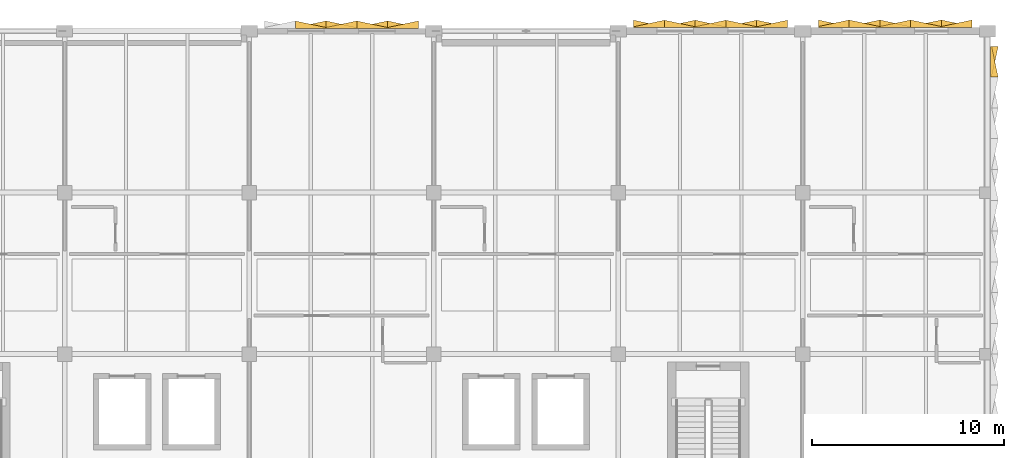
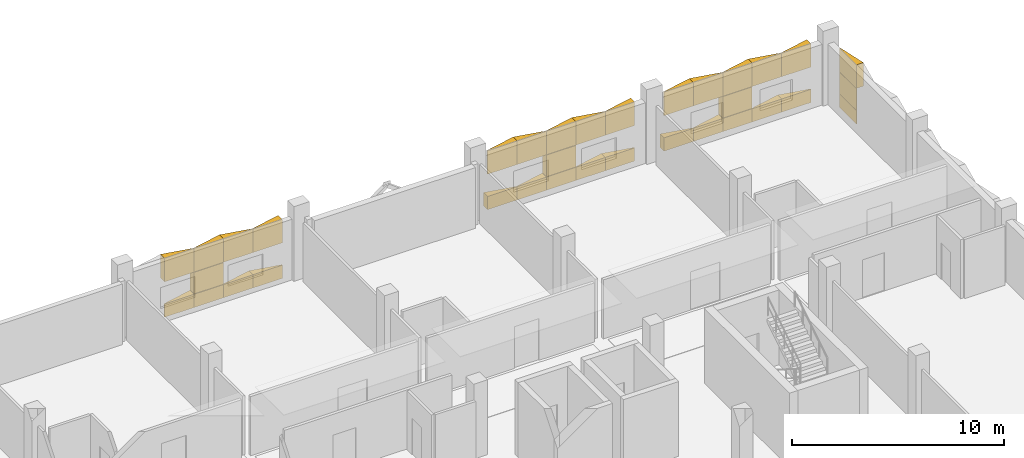
# One storey, part 86 of 86: 34 coverings.
"""IFC4 building model written with IfcOpenShell, lengths in metres."""

from ifc_helpers import new_model, si_unit, direction, frame, origin, place, context, subcontext, project, spatial, polyline, outline, extrude, material, type_object, element, save


model = new_model("IFC4")

# Units and contexts
model_context = context("Model", 3, precision=1e-05, world=origin(), true_north=direction((0.0, 1.0)))
body_context = subcontext(model_context, "Body", "Model", "MODEL_VIEW")
ifc_project = project(units=[si_unit("LENGTHUNIT", "METRE"), si_unit("AREAUNIT", "SQUARE_METRE"), si_unit("VOLUMEUNIT", "CUBIC_METRE"), si_unit("PLANEANGLEUNIT", "RADIAN"), si_unit("MASSUNIT", "GRAM", prefix="KILO")], contexts=[model_context])

# Site, building, storey
site_placement = place(None, origin())
site = spatial("IfcSite", under=ifc_project, at=site_placement, CompositionType="ELEMENT")
building_placement = place(site_placement, origin())
building = spatial("IfcBuilding", under=site, at=building_placement, Name="Oolite Switchyard Hospital", CompositionType="ELEMENT")
storey_placement = place(building_placement, frame((0.0, 0.0, 13.5)))
storey = spatial("IfcBuildingStorey", under=building, at=storey_placement, Name="L03", CompositionType="ELEMENT", Elevation=13.5)

# Coverings
ifc_material = material(Name="Precast oolitic limestone architectural concrete C40/50", Category="masonry")
covering_type = type_object("IfcCoveringType", Name="COV-CHEV-COOL", PredefinedType="CLADDING", material=ifc_material)
covering_1_placement = place(storey_placement, frame((175.199951171875, 134.5400390625, 0.050048828125), z_axis=(0.0, 0.0, 1.0), x_axis=(1.0, 0.0, 0.0)))
element("IfcCovering", 1, at=covering_1_placement, inside=storey, type_object=covering_type, Name="L03 Chevron Precast Oolite Panel 311", PredefinedType="CLADDING", context=body_context, shape_type="SweptSolid", body=[
    extrude(outline(polyline([(0.0, 0.0), (1.60009765625, 0.0), (1.60009765625, 0.385009765625), (0.0, 0.044921875), (0.0, 0.0)])), origin(), (0.0, 0.0, 1.0), 0.760009765625),
])
covering_2_placement = place(storey_placement, frame((175.199951171875, 134.5400390625, 2.090087890625), z_axis=(0.0, 0.0, 1.0), x_axis=(1.0, 0.0, 0.0)))
element("IfcCovering", 2, at=covering_2_placement, inside=storey, type_object=covering_type, Name="L03 Chevron Precast Oolite Panel 312", PredefinedType="CLADDING", context=body_context, shape_type="SweptSolid", body=[
    extrude(outline(polyline([(0.0, 0.0), (1.60009765625, 0.0), (1.60009765625, 0.044921875), (0.0, 0.385009765625), (0.0, 0.0)])), origin(), (0.0, 0.0, 1.0), 1.349853515625),
])
covering_3_placement = place(storey_placement, frame((176.800048828125, 134.5400390625, 0.050048828125), z_axis=(0.0, 0.0, 1.0), x_axis=(1.0, 0.0, 0.0)))
element("IfcCovering", 3, at=covering_3_placement, inside=storey, type_object=covering_type, Name="L03 Chevron Precast Oolite Panel 313", PredefinedType="CLADDING", context=body_context, shape_type="SweptSolid", body=[
    extrude(outline(polyline([(0.0, 0.0), (1.599853515625, 0.0), (1.599853515625, 0.044921875), (0.0, 0.385009765625), (0.0, 0.0)])), origin(), (0.0, 0.0, 1.0), 0.760009765625),
])
covering_4_placement = place(storey_placement, frame((176.800048828125, 134.5400390625, 2.090087890625), z_axis=(0.0, 0.0, 1.0), x_axis=(1.0, 0.0, 0.0)))
element("IfcCovering", 4, at=covering_4_placement, inside=storey, type_object=covering_type, Name="L03 Chevron Precast Oolite Panel 314", PredefinedType="CLADDING", context=body_context, shape_type="SweptSolid", body=[
    extrude(outline(polyline([(0.0, 0.0), (1.599853515625, 0.0), (1.599853515625, 0.385009765625), (0.0, 0.044921875), (0.0, 0.0)])), origin(), (0.0, 0.0, 1.0), 1.349853515625),
])
covering_5_placement = place(storey_placement, frame((176.800048828125, 134.5400390625, 0.830078125), z_axis=(0.0, 0.0, 1.0), x_axis=(1.0, 0.0, 0.0)))
element("IfcCovering", 5, at=covering_5_placement, inside=storey, type_object=covering_type, Name="L03 Chevron Precast Oolite Panel 315", PredefinedType="CLADDING", context=body_context, shape_type="SweptSolid", body=[
    extrude(outline(polyline([(0.0, 0.0), (1.599853515625, 0.0), (1.599853515625, 0.044921875), (0.0, 0.385009765625), (0.0, 0.0)])), origin(), (0.0, 0.0, 1.0), 1.239990234375),
])
covering_6_placement = place(storey_placement, frame((178.39990234375, 134.5400390625, 0.050048828125), z_axis=(0.0, 0.0, 1.0), x_axis=(1.0, 0.0, 0.0)))
element("IfcCovering", 6, at=covering_6_placement, inside=storey, type_object=covering_type, Name="L03 Chevron Precast Oolite Panel 316", PredefinedType="CLADDING", context=body_context, shape_type="SweptSolid", body=[
    extrude(outline(polyline([(0.0, 0.0), (1.60009765625, 0.0), (1.60009765625, 0.385009765625), (0.0, 0.044921875), (0.0, 0.0)])), origin(), (0.0, 0.0, 1.0), 0.760009765625),
])
covering_7_placement = place(storey_placement, frame((178.39990234375, 134.5400390625, 2.090087890625), z_axis=(0.0, 0.0, 1.0), x_axis=(1.0, 0.0, 0.0)))
element("IfcCovering", 7, at=covering_7_placement, inside=storey, type_object=covering_type, Name="L03 Chevron Precast Oolite Panel 317", PredefinedType="CLADDING", context=body_context, shape_type="SweptSolid", body=[
    extrude(outline(polyline([(0.0, 0.0), (1.60009765625, 0.0), (1.60009765625, 0.044921875), (0.0, 0.385009765625), (0.0, 0.0)])), origin(), (0.0, 0.0, 1.0), 1.349853515625),
])
covering_8_placement = place(storey_placement, frame((180.0, 134.5400390625, 0.050048828125), z_axis=(0.0, 0.0, 1.0), x_axis=(1.0, 0.0, 0.0)))
element("IfcCovering", 8, at=covering_8_placement, inside=storey, type_object=covering_type, Name="L03 Chevron Precast Oolite Panel 318", PredefinedType="CLADDING", context=body_context, shape_type="SweptSolid", body=[
    extrude(outline(polyline([(0.0, 0.0), (1.60009765625, 0.0), (1.60009765625, 0.044921875), (0.0, 0.385009765625), (0.0, 0.0)])), origin(), (0.0, 0.0, 1.0), 0.760009765625),
])
covering_9_placement = place(storey_placement, frame((180.0, 134.5400390625, 2.090087890625), z_axis=(0.0, 0.0, 1.0), x_axis=(1.0, 0.0, 0.0)))
element("IfcCovering", 9, at=covering_9_placement, inside=storey, type_object=covering_type, Name="L03 Chevron Precast Oolite Panel 319", PredefinedType="CLADDING", context=body_context, shape_type="SweptSolid", body=[
    extrude(outline(polyline([(0.0, 0.0), (1.60009765625, 0.0), (1.60009765625, 0.385009765625), (0.0, 0.044921875), (0.0, 0.0)])), origin(), (0.0, 0.0, 1.0), 1.349853515625),
])
covering_10_placement = place(storey_placement, frame((192.800048828125, 134.580078125, 0.050048828125), z_axis=(0.0, 0.0, 1.0), x_axis=(1.0, 0.0, 0.0)))
element("IfcCovering", 10, at=covering_10_placement, inside=storey, type_object=covering_type, Name="L03 Chevron Precast Oolite Panel 320", PredefinedType="CLADDING", context=body_context, shape_type="SweptSolid", body=[
    extrude(outline(polyline([(0.0, 0.0), (1.599853515625, 0.0), (1.599853515625, 0.044921875), (0.0, 0.385009765625), (0.0, 0.0)])), origin(), (0.0, 0.0, 1.0), 0.760009765625),
])
covering_11_placement = place(storey_placement, frame((192.800048828125, 134.580078125, 2.090087890625), z_axis=(0.0, 0.0, 1.0), x_axis=(1.0, 0.0, 0.0)))
element("IfcCovering", 11, at=covering_11_placement, inside=storey, type_object=covering_type, Name="L03 Chevron Precast Oolite Panel 321", PredefinedType="CLADDING", context=body_context, shape_type="SweptSolid", body=[
    extrude(outline(polyline([(0.0, 0.0), (1.599853515625, 0.0), (1.599853515625, 0.385009765625), (0.0, 0.044921875), (0.0, 0.0)])), origin(), (0.0, 0.0, 1.0), 1.349853515625),
])
covering_12_placement = place(storey_placement, frame((194.39990234375, 134.580078125, 0.050048828125), z_axis=(0.0, 0.0, 1.0), x_axis=(1.0, 0.0, 0.0)))
element("IfcCovering", 12, at=covering_12_placement, inside=storey, type_object=covering_type, Name="L03 Chevron Precast Oolite Panel 322", PredefinedType="CLADDING", context=body_context, shape_type="SweptSolid", body=[
    extrude(outline(polyline([(0.0, 0.0), (1.60009765625, 0.0), (1.60009765625, 0.385009765625), (0.0, 0.044921875), (0.0, 0.0)])), origin(), (0.0, 0.0, 1.0), 0.760009765625),
])
covering_13_placement = place(storey_placement, frame((194.39990234375, 134.580078125, 2.090087890625), z_axis=(0.0, 0.0, 1.0), x_axis=(1.0, 0.0, 0.0)))
element("IfcCovering", 13, at=covering_13_placement, inside=storey, type_object=covering_type, Name="L03 Chevron Precast Oolite Panel 323", PredefinedType="CLADDING", context=body_context, shape_type="SweptSolid", body=[
    extrude(outline(polyline([(0.0, 0.0), (1.60009765625, 0.0), (1.60009765625, 0.044921875), (0.0, 0.385009765625), (0.0, 0.0)])), origin(), (0.0, 0.0, 1.0), 1.349853515625),
])
covering_14_placement = place(storey_placement, frame((196.0, 134.580078125, 0.050048828125), z_axis=(0.0, 0.0, 1.0), x_axis=(1.0, 0.0, 0.0)))
element("IfcCovering", 14, at=covering_14_placement, inside=storey, type_object=covering_type, Name="L03 Chevron Precast Oolite Panel 324", PredefinedType="CLADDING", context=body_context, shape_type="SweptSolid", body=[
    extrude(outline(polyline([(0.0, 0.0), (1.60009765625, 0.0), (1.60009765625, 0.044921875), (0.0, 0.385009765625), (0.0, 0.0)])), origin(), (0.0, 0.0, 1.0), 0.760009765625),
])
covering_15_placement = place(storey_placement, frame((196.0, 134.580078125, 2.090087890625), z_axis=(0.0, 0.0, 1.0), x_axis=(1.0, 0.0, 0.0)))
element("IfcCovering", 15, at=covering_15_placement, inside=storey, type_object=covering_type, Name="L03 Chevron Precast Oolite Panel 325", PredefinedType="CLADDING", context=body_context, shape_type="SweptSolid", body=[
    extrude(outline(polyline([(0.0, 0.0), (1.60009765625, 0.0), (1.60009765625, 0.385009765625), (0.0, 0.044921875), (0.0, 0.0)])), origin(), (0.0, 0.0, 1.0), 1.349853515625),
])
covering_16_placement = place(storey_placement, frame((196.0, 134.580078125, 0.830078125), z_axis=(0.0, 0.0, 1.0), x_axis=(1.0, 0.0, 0.0)))
element("IfcCovering", 16, at=covering_16_placement, inside=storey, type_object=covering_type, Name="L03 Chevron Precast Oolite Panel 326", PredefinedType="CLADDING", context=body_context, shape_type="SweptSolid", body=[
    extrude(outline(polyline([(0.0, 0.0), (1.60009765625, 0.0), (1.60009765625, 0.044921875), (0.0, 0.385009765625), (0.0, 0.0)])), origin(), (0.0, 0.0, 1.0), 1.239990234375),
])
covering_17_placement = place(storey_placement, frame((197.60009765625, 134.580078125, 0.050048828125), z_axis=(0.0, 0.0, 1.0), x_axis=(1.0, 0.0, 0.0)))
element("IfcCovering", 17, at=covering_17_placement, inside=storey, type_object=covering_type, Name="L03 Chevron Precast Oolite Panel 327", PredefinedType="CLADDING", context=body_context, shape_type="SweptSolid", body=[
    extrude(outline(polyline([(0.0, 0.0), (1.599853515625, 0.0), (1.599853515625, 0.385009765625), (0.0, 0.044921875), (0.0, 0.0)])), origin(), (0.0, 0.0, 1.0), 0.760009765625),
])
covering_18_placement = place(storey_placement, frame((197.60009765625, 134.580078125, 2.090087890625), z_axis=(0.0, 0.0, 1.0), x_axis=(1.0, 0.0, 0.0)))
element("IfcCovering", 18, at=covering_18_placement, inside=storey, type_object=covering_type, Name="L03 Chevron Precast Oolite Panel 328", PredefinedType="CLADDING", context=body_context, shape_type="SweptSolid", body=[
    extrude(outline(polyline([(0.0, 0.0), (1.599853515625, 0.0), (1.599853515625, 0.044921875), (0.0, 0.385009765625), (0.0, 0.0)])), origin(), (0.0, 0.0, 1.0), 1.349853515625),
])
covering_19_placement = place(storey_placement, frame((199.199951171875, 134.580078125, 0.050048828125), z_axis=(0.0, 0.0, 1.0), x_axis=(1.0, 0.0, 0.0)))
element("IfcCovering", 19, at=covering_19_placement, inside=storey, type_object=covering_type, Name="L03 Chevron Precast Oolite Panel 329", PredefinedType="CLADDING", context=body_context, shape_type="SweptSolid", body=[
    extrude(outline(polyline([(0.0, 0.0), (1.60009765625, 0.0), (1.60009765625, 0.044921875), (0.0, 0.385009765625), (0.0, 0.0)])), origin(), (0.0, 0.0, 1.0), 0.760009765625),
])
covering_20_placement = place(storey_placement, frame((199.199951171875, 134.580078125, 2.090087890625), z_axis=(0.0, 0.0, 1.0), x_axis=(1.0, 0.0, 0.0)))
element("IfcCovering", 20, at=covering_20_placement, inside=storey, type_object=covering_type, Name="L03 Chevron Precast Oolite Panel 330", PredefinedType="CLADDING", context=body_context, shape_type="SweptSolid", body=[
    extrude(outline(polyline([(0.0, 0.0), (1.60009765625, 0.0), (1.60009765625, 0.385009765625), (0.0, 0.044921875), (0.0, 0.0)])), origin(), (0.0, 0.0, 1.0), 1.349853515625),
])
covering_21_placement = place(storey_placement, frame((202.39990234375, 134.590087890625, 0.050048828125), z_axis=(0.0, 0.0, 1.0), x_axis=(1.0, 0.0, 0.0)))
element("IfcCovering", 21, at=covering_21_placement, inside=storey, type_object=covering_type, Name="L03 Chevron Precast Oolite Panel 331", PredefinedType="CLADDING", context=body_context, shape_type="SweptSolid", body=[
    extrude(outline(polyline([(0.0, 0.0), (1.60009765625, 0.0), (1.60009765625, 0.044921875), (0.0, 0.385009765625), (0.0, 0.0)])), origin(), (0.0, 0.0, 1.0), 0.760009765625),
])
covering_22_placement = place(storey_placement, frame((202.39990234375, 134.590087890625, 2.090087890625), z_axis=(0.0, 0.0, 1.0), x_axis=(1.0, 0.0, 0.0)))
element("IfcCovering", 22, at=covering_22_placement, inside=storey, type_object=covering_type, Name="L03 Chevron Precast Oolite Panel 332", PredefinedType="CLADDING", context=body_context, shape_type="SweptSolid", body=[
    extrude(outline(polyline([(0.0, 0.0), (1.60009765625, 0.0), (1.60009765625, 0.385009765625), (0.0, 0.044921875), (0.0, 0.0)])), origin(), (0.0, 0.0, 1.0), 1.349853515625),
])
covering_23_placement = place(storey_placement, frame((204.0, 134.590087890625, 0.050048828125), z_axis=(0.0, 0.0, 1.0), x_axis=(1.0, 0.0, 0.0)))
element("IfcCovering", 23, at=covering_23_placement, inside=storey, type_object=covering_type, Name="L03 Chevron Precast Oolite Panel 333", PredefinedType="CLADDING", context=body_context, shape_type="SweptSolid", body=[
    extrude(outline(polyline([(0.0, 0.0), (1.60009765625, 0.0), (1.60009765625, 0.385009765625), (0.0, 0.044921875), (0.0, 0.0)])), origin(), (0.0, 0.0, 1.0), 0.760009765625),
])
covering_24_placement = place(storey_placement, frame((204.0, 134.590087890625, 2.090087890625), z_axis=(0.0, 0.0, 1.0), x_axis=(1.0, 0.0, 0.0)))
element("IfcCovering", 24, at=covering_24_placement, inside=storey, type_object=covering_type, Name="L03 Chevron Precast Oolite Panel 334", PredefinedType="CLADDING", context=body_context, shape_type="SweptSolid", body=[
    extrude(outline(polyline([(0.0, 0.0), (1.60009765625, 0.0), (1.60009765625, 0.044921875), (0.0, 0.385009765625), (0.0, 0.0)])), origin(), (0.0, 0.0, 1.0), 1.349853515625),
])
covering_25_placement = place(storey_placement, frame((205.60009765625, 134.590087890625, 0.050048828125), z_axis=(0.0, 0.0, 1.0), x_axis=(1.0, 0.0, 0.0)))
element("IfcCovering", 25, at=covering_25_placement, inside=storey, type_object=covering_type, Name="L03 Chevron Precast Oolite Panel 335", PredefinedType="CLADDING", context=body_context, shape_type="SweptSolid", body=[
    extrude(outline(polyline([(0.0, 0.0), (1.599853515625, 0.0), (1.599853515625, 0.044921875), (0.0, 0.385009765625), (0.0, 0.0)])), origin(), (0.0, 0.0, 1.0), 0.760009765625),
])
covering_26_placement = place(storey_placement, frame((205.60009765625, 134.590087890625, 2.090087890625), z_axis=(0.0, 0.0, 1.0), x_axis=(1.0, 0.0, 0.0)))
element("IfcCovering", 26, at=covering_26_placement, inside=storey, type_object=covering_type, Name="L03 Chevron Precast Oolite Panel 336", PredefinedType="CLADDING", context=body_context, shape_type="SweptSolid", body=[
    extrude(outline(polyline([(0.0, 0.0), (1.599853515625, 0.0), (1.599853515625, 0.385009765625), (0.0, 0.044921875), (0.0, 0.0)])), origin(), (0.0, 0.0, 1.0), 1.349853515625),
])
covering_27_placement = place(storey_placement, frame((205.60009765625, 134.590087890625, 0.830078125), z_axis=(0.0, 0.0, 1.0), x_axis=(1.0, 0.0, 0.0)))
element("IfcCovering", 27, at=covering_27_placement, inside=storey, type_object=covering_type, Name="L03 Chevron Precast Oolite Panel 337", PredefinedType="CLADDING", context=body_context, shape_type="SweptSolid", body=[
    extrude(outline(polyline([(0.0, 0.0), (1.599853515625, 0.0), (1.599853515625, 0.044921875), (0.0, 0.385009765625), (0.0, 0.0)])), origin(), (0.0, 0.0, 1.0), 1.239990234375),
])
covering_28_placement = place(storey_placement, frame((207.199951171875, 134.590087890625, 0.050048828125), z_axis=(0.0, 0.0, 1.0), x_axis=(1.0, 0.0, 0.0)))
element("IfcCovering", 28, at=covering_28_placement, inside=storey, type_object=covering_type, Name="L03 Chevron Precast Oolite Panel 338", PredefinedType="CLADDING", context=body_context, shape_type="SweptSolid", body=[
    extrude(outline(polyline([(0.0, 0.0), (1.60009765625, 0.0), (1.60009765625, 0.385009765625), (0.0, 0.044921875), (0.0, 0.0)])), origin(), (0.0, 0.0, 1.0), 0.760009765625),
])
covering_29_placement = place(storey_placement, frame((207.199951171875, 134.590087890625, 2.090087890625), z_axis=(0.0, 0.0, 1.0), x_axis=(1.0, 0.0, 0.0)))
element("IfcCovering", 29, at=covering_29_placement, inside=storey, type_object=covering_type, Name="L03 Chevron Precast Oolite Panel 339", PredefinedType="CLADDING", context=body_context, shape_type="SweptSolid", body=[
    extrude(outline(polyline([(0.0, 0.0), (1.60009765625, 0.0), (1.60009765625, 0.044921875), (0.0, 0.385009765625), (0.0, 0.0)])), origin(), (0.0, 0.0, 1.0), 1.349853515625),
])
covering_30_placement = place(storey_placement, frame((208.800048828125, 134.590087890625, 0.050048828125), z_axis=(0.0, 0.0, 1.0), x_axis=(1.0, 0.0, 0.0)))
element("IfcCovering", 30, at=covering_30_placement, inside=storey, type_object=covering_type, Name="L03 Chevron Precast Oolite Panel 340", PredefinedType="CLADDING", context=body_context, shape_type="SweptSolid", body=[
    extrude(outline(polyline([(0.0, 0.0), (1.599853515625, 0.0), (1.599853515625, 0.044921875), (0.0, 0.385009765625), (0.0, 0.0)])), origin(), (0.0, 0.0, 1.0), 0.760009765625),
])
covering_31_placement = place(storey_placement, frame((208.800048828125, 134.590087890625, 2.090087890625), z_axis=(0.0, 0.0, 1.0), x_axis=(1.0, 0.0, 0.0)))
element("IfcCovering", 31, at=covering_31_placement, inside=storey, type_object=covering_type, Name="L03 Chevron Precast Oolite Panel 341", PredefinedType="CLADDING", context=body_context, shape_type="SweptSolid", body=[
    extrude(outline(polyline([(0.0, 0.0), (1.599853515625, 0.0), (1.599853515625, 0.385009765625), (0.0, 0.044921875), (0.0, 0.0)])), origin(), (0.0, 0.0, 1.0), 1.349853515625),
])
covering_32_placement = place(storey_placement, frame((211.3701171875, 133.60009765625, 0.050048828125), z_axis=(0.0, 0.0, 1.0), x_axis=(0.0, -1.0, 0.0)))
element("IfcCovering", 32, at=covering_32_placement, inside=storey, type_object=covering_type, Name="L03 Chevron Precast Oolite Panel 572", PredefinedType="CLADDING", context=body_context, shape_type="SweptSolid", body=[
    extrude(outline(polyline([(0.0, 0.0), (1.60009765625, 0.0), (1.60009765625, 0.044921875), (0.0, 0.385009765625), (0.0, 0.0)])), origin(), (0.0, 0.0, 1.0), 0.760009765625),
])
covering_33_placement = place(storey_placement, frame((211.3701171875, 133.60009765625, 2.090087890625), z_axis=(0.0, 0.0, 1.0), x_axis=(0.0, -1.0, 0.0)))
element("IfcCovering", 33, at=covering_33_placement, inside=storey, type_object=covering_type, Name="L03 Chevron Precast Oolite Panel 573", PredefinedType="CLADDING", context=body_context, shape_type="SweptSolid", body=[
    extrude(outline(polyline([(0.0, 0.0), (1.60009765625, 0.0), (1.60009765625, 0.385009765625), (0.0, 0.044921875), (0.0, 0.0)])), origin(), (0.0, 0.0, 1.0), 1.349853515625),
])
covering_34_placement = place(storey_placement, frame((211.3701171875, 133.60009765625, 0.830078125), z_axis=(0.0, 0.0, 1.0), x_axis=(0.0, -1.0, 0.0)))
element("IfcCovering", 34, at=covering_34_placement, inside=storey, type_object=covering_type, Name="L03 Chevron Precast Oolite Panel 574", PredefinedType="CLADDING", context=body_context, shape_type="SweptSolid", body=[
    extrude(outline(polyline([(0.0, 0.0), (1.60009765625, 0.0), (1.60009765625, 0.044921875), (0.0, 0.385009765625), (0.0, 0.0)])), origin(), (0.0, 0.0, 1.0), 1.239990234375),
])

save(model, "model.ifc")
